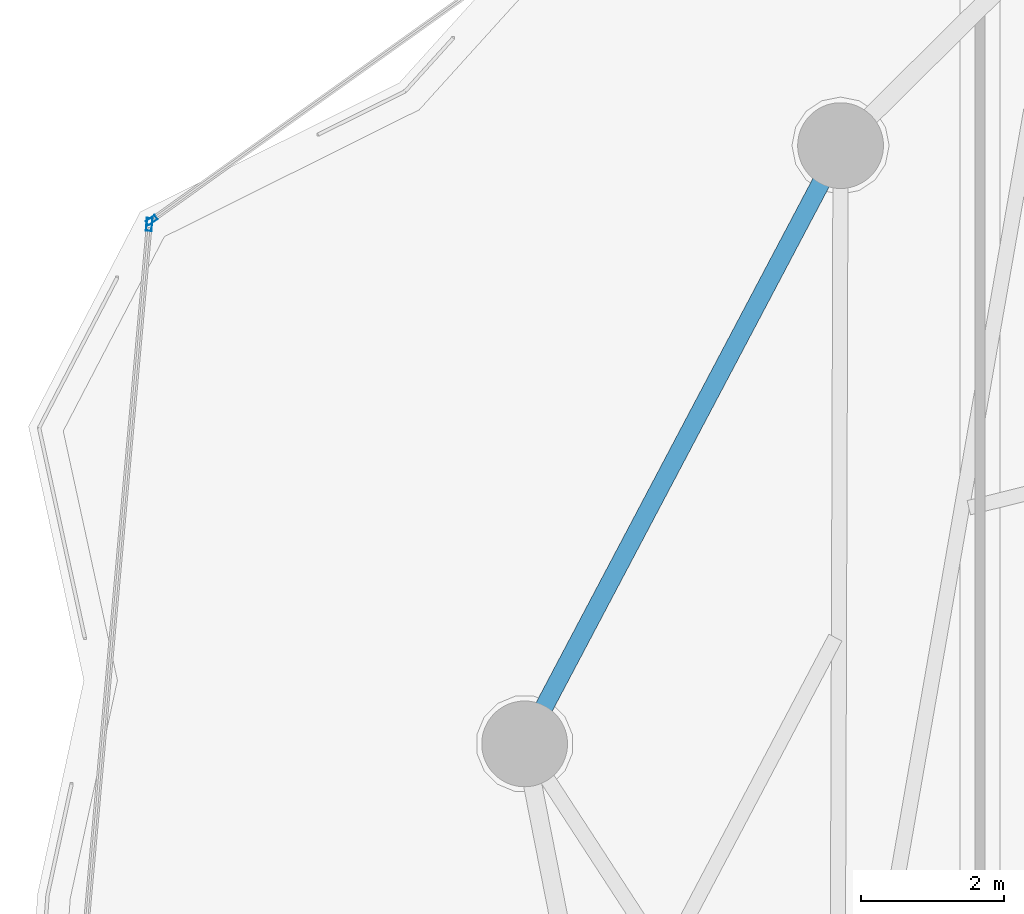
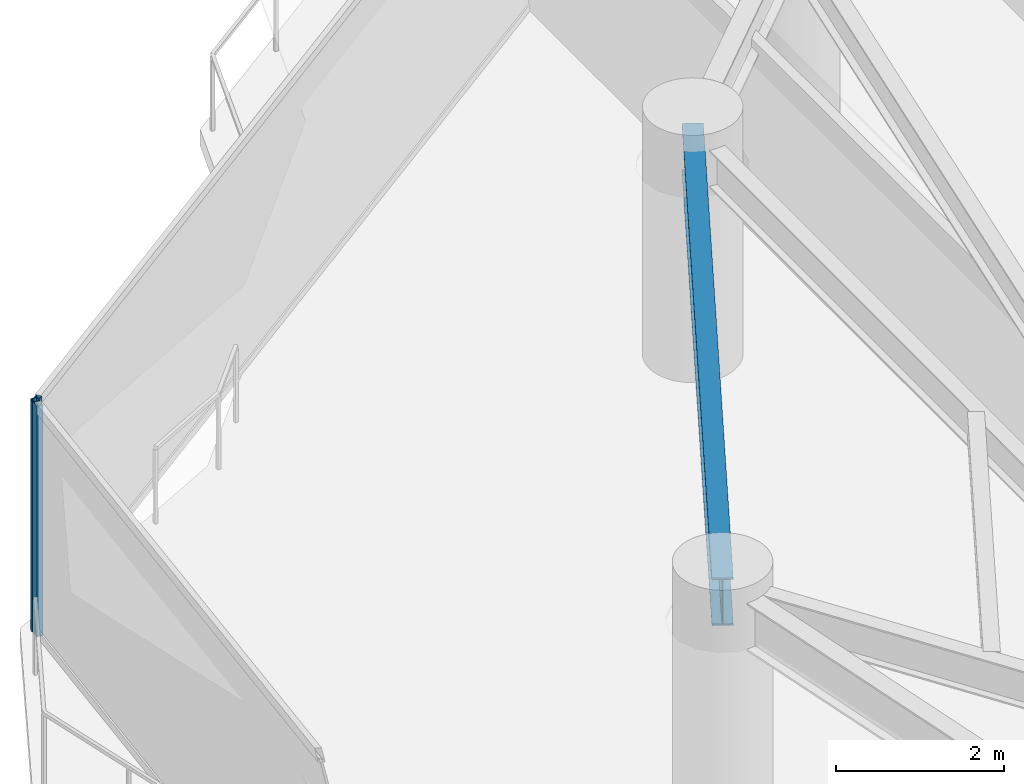
# One storey, part 17 of 33: 2 members, 1 beam, 2 elements without a shape of their own.
"""IFC4 building model written with IfcOpenShell, lengths in metres."""

import ifcopenshell
import ifcopenshell.guid

model = None  # the IFC model being written
_history = None  # IfcOwnerHistory: only IFC2X3 demands one
_inside = {}  # id of a spatial element -> (the spatial element, [elements in it])
_under = {}  # id of a project, library or spatial element -> (it, [spatial elements below it])
_declared = {}  # id of a project -> (the project, [libraries it declares])
_typed = {}  # id of a type object -> (the type object, [elements of that type])
_made_of = {}  # id of a material, layer set ... -> (it, [elements and type objects made of it])


def new_model(schema):
    """Start an empty IFC model of exactly this schema.

    Asked for "IFC4X3", IfcOpenShell would pick the latest addendum, in which some entities
    have other attributes; the version numbers below select the first issue.
    IFC2X3 requires an IfcOwnerHistory on every rooted entity: one is made here for all.
    """
    global model, _history
    if schema == "IFC4X3":
        model = ifcopenshell.file(schema_version=(4, 3, 0, 0))
    else:
        model = ifcopenshell.file(schema=schema)
    _inside.clear()
    _under.clear()
    _declared.clear()
    _typed.clear()
    _made_of.clear()
    _history = None
    if model.schema == "IFC2X3":
        org = make("IfcOrganization", Name="unknown")
        user = make(
            "IfcPersonAndOrganization",
            ThePerson=make("IfcPerson", FamilyName="unknown"),
            TheOrganization=org,
        )
        app = make(
            "IfcApplication",
            ApplicationDeveloper=org,
            Version="unknown",
            ApplicationFullName="unknown",
            ApplicationIdentifier="unknown",
        )
        _history = make(
            "IfcOwnerHistory",
            OwningUser=user,
            OwningApplication=app,
            ChangeAction="ADDED",
            CreationDate=0,
        )
    return model


def make(cls, **values):
    """One entity of the class cls with the attributes given. An attribute that is None is left unset."""
    return model.create_entity(
        cls, **{name: value for name, value in values.items() if value is not None}
    )


def rooted(cls, **values):
    """An entity with a GlobalId (a new one), such as an element, a storey or a relation."""
    return make(cls, GlobalId=ifcopenshell.guid.new(), OwnerHistory=_history, **values)


def si_unit(unit_type, name, prefix=None):
    """IfcSIUnit, for example si_unit("LENGTHUNIT", "METRE", prefix="MILLI")."""
    return make("IfcSIUnit", UnitType=unit_type, Prefix=prefix, Name=name)


def assignment(units):
    """IfcUnitAssignment: the units of a project."""
    return None if units is None else make("IfcUnitAssignment", Units=units)


def point(xyz):
    """IfcCartesianPoint."""
    return None if xyz is None else make("IfcCartesianPoint", Coordinates=xyz)


def direction(xyz):
    """IfcDirection."""
    return None if xyz is None else make("IfcDirection", DirectionRatios=xyz)


def frame(location, z_axis=None, x_axis=None):
    """IfcAxis2Placement3D, a coordinate frame: its origin and axes. An axis left out is left unset."""
    return make(
        "IfcAxis2Placement3D",
        Location=point(location),
        Axis=direction(z_axis),
        RefDirection=direction(x_axis),
    )


def frame_2d(location, x_axis=None):
    """IfcAxis2Placement2D, a coordinate frame in the plane: its origin and x axis."""
    return make(
        "IfcAxis2Placement2D", Location=point(location), RefDirection=direction(x_axis)
    )


def origin():
    """The frame at (0, 0, 0) with its axes left unset."""
    return frame((0.0, 0.0, 0.0))


def origin_2d():
    """The frame at (0, 0) in the plane with its x axis left unset."""
    return frame_2d((0.0, 0.0))


def place(relative_to, where):
    """IfcLocalPlacement: puts the frame where relative to a parent placement (None: the world)."""
    return make(
        "IfcLocalPlacement", PlacementRelTo=relative_to, RelativePlacement=where
    )


def context(
    kind, dimensions, precision=None, world=None, true_north=None, identifier=None
):
    """IfcGeometricRepresentationContext, for example the 3D "Model" context."""
    return make(
        "IfcGeometricRepresentationContext",
        ContextIdentifier=identifier,
        ContextType=kind,
        CoordinateSpaceDimension=dimensions,
        Precision=precision,
        WorldCoordinateSystem=world,
        TrueNorth=true_north,
    )


def subcontext(parent, identifier, kind, view, scale=None):
    """IfcGeometricRepresentationSubContext, for example "Body" below "Model"."""
    return make(
        "IfcGeometricRepresentationSubContext",
        ContextIdentifier=identifier,
        ContextType=kind,
        ParentContext=parent,
        TargetScale=scale,
        TargetView=view,
    )


def project(units=None, contexts=None):
    """IfcProject with its units and contexts."""
    return rooted(
        "IfcProject",
        Name="project",
        RepresentationContexts=contexts,
        UnitsInContext=assignment(units),
    )


def spatial(cls, under=None, at=None, **own):
    """A site, building, storey or space (cls), placed at a placement, below another one or the project."""
    s = rooted(cls, ObjectPlacement=at, **own)
    if under is not None:
        _under.setdefault(under.id(), (under, []))[1].append(s)
    return s


def profile(cls, at=None, kind="AREA", **sizes):
    """A parametric profile (cls). Its sizes go by their IFC names, for example OverallWidth=200.0."""
    return make(cls, ProfileType=kind, Position=at, **sizes)


def hollow_rectangle(**sizes):
    """IfcRectangleHollowProfileDef."""
    return profile("IfcRectangleHollowProfileDef", **sizes)


def i_section(**sizes):
    """IfcIShapeProfileDef."""
    return profile("IfcIShapeProfileDef", **sizes)


def extrude(swept, where, along, depth):
    """IfcExtrudedAreaSolid: the profile swept, set in the frame where, extruded along a direction by depth."""
    return make(
        "IfcExtrudedAreaSolid",
        SweptArea=swept,
        Position=where,
        ExtrudedDirection=direction(along),
        Depth=depth,
    )


def shape(context_of_items, identifier, shape_type, items):
    """IfcShapeRepresentation: the items that make up one representation, for example the "Body"."""
    return make(
        "IfcShapeRepresentation",
        ContextOfItems=context_of_items,
        RepresentationIdentifier=identifier,
        RepresentationType=shape_type,
        Items=items,
    )


def material(Name=None, Category=None):
    """IfcMaterial."""
    return make("IfcMaterial", Name=Name, Category=Category)


def layer(
    of_material, thickness, ventilated=None, Name=None, Category=None, Priority=None
):
    """IfcMaterialLayer: one layer of a wall or slab, of a material (None: an air gap)."""
    return make(
        "IfcMaterialLayer",
        Material=of_material,
        LayerThickness=thickness,
        IsVentilated=ventilated,
        Name=Name,
        Category=Category,
        Priority=Priority,
    )


def layer_set(layers, Name=None):
    """IfcMaterialLayerSet."""
    return make("IfcMaterialLayerSet", MaterialLayers=layers, LayerSetName=Name)


def material_profile(
    of_material, cross_section, Name=None, Category=None, Priority=None
):
    """IfcMaterialProfile: a cross section and its material."""
    return make(
        "IfcMaterialProfile",
        Name=Name,
        Material=of_material,
        Profile=cross_section,
        Priority=Priority,
        Category=Category,
    )


def profile_set(profiles, Name=None, composite=None):
    """IfcMaterialProfileSet."""
    return make(
        "IfcMaterialProfileSet",
        Name=Name,
        MaterialProfiles=profiles,
        CompositeProfile=composite,
    )


def made_of(thing, what):
    """Note that an element or type object is made of a material, layer set ...; save() writes the relation."""
    if what is not None:
        _made_of.setdefault(what.id(), (what, []))[1].append(thing)
    return thing


def type_object(cls, material=None, **own):
    """A type object (cls), such as IfcWallType, which elements share."""
    return made_of(rooted(cls, **own), material)


def element(
    cls,
    number,
    at=None,
    inside=None,
    cuts=None,
    type_object=None,
    material=None,
    context=None,
    identifier="Body",
    shape_type=None,
    held_by="IfcProductDefinitionShape",
    body=None,
    shapes=None,
    **own,
):
    """One element of the class cls, such as IfcWall. Its Tag is "e" and its number.

    at: its placement. inside: the storey or other place that contains it. cuts: it is an
    opening in that element (IfcRelVoidsElement). A single representation is given by context,
    identifier, shape_type and body (its items); several are given by shapes. held_by: the class
    of the entity that holds the representations. save() writes the other relations.
    """
    e = rooted(cls, Tag="e%d" % number, ObjectPlacement=at, **own)
    if body is not None:
        shapes = [shape(context, identifier, shape_type, body)]
    if shapes is not None:
        e.Representation = make(held_by, Representations=shapes)
    if inside is not None:
        _inside.setdefault(inside.id(), (inside, []))[1].append(e)
    if cuts is not None:
        rooted(
            "IfcRelVoidsElement", RelatingBuildingElement=cuts, RelatedOpeningElement=e
        )
    if type_object is not None:
        _typed.setdefault(type_object.id(), (type_object, []))[1].append(e)
    return made_of(e, material)


def aggregate(whole, parts):
    """IfcRelAggregates: a whole, such as a stair, and the parts it consists of."""
    return rooted("IfcRelAggregates", RelatingObject=whole, RelatedObjects=parts)


def save(model, path):
    """Write the relations noted so far, then the file.

    IfcRelAggregates (storeys below a building ...), IfcRelContainedInSpatialStructure (elements
    in a storey), IfcRelDefinesByType, IfcRelAssociatesMaterial and IfcRelDeclares: one each for
    every whole, place, type object, material and project.
    """
    for whole, parts in _under.values():
        aggregate(whole, parts)
    for where, things in _inside.values():
        rooted(
            "IfcRelContainedInSpatialStructure",
            RelatedElements=things,
            RelatingStructure=where,
        )
    for kind, things in _typed.values():
        rooted("IfcRelDefinesByType", RelatedObjects=things, RelatingType=kind)
    for what, things in _made_of.values():
        rooted("IfcRelAssociatesMaterial", RelatedObjects=things, RelatingMaterial=what)
    for by, libraries in _declared.values():
        rooted("IfcRelDeclares", RelatingContext=by, RelatedDefinitions=libraries)
    model.write(path)


model = new_model("IFC4")

# Units and contexts
model_context = context("Model", 3, precision=1e-05, world=origin(), true_north=direction((0.0, 1.0)))
body_context = subcontext(model_context, "Body", "Model", "MODEL_VIEW")
ifc_project = project(units=[si_unit("LENGTHUNIT", "METRE"), si_unit("AREAUNIT", "SQUARE_METRE"), si_unit("VOLUMEUNIT", "CUBIC_METRE"), si_unit("PLANEANGLEUNIT", "RADIAN"), si_unit("MASSUNIT", "GRAM", prefix="KILO")], contexts=[model_context])

# Site, building, storey
site_placement = place(None, origin())
site = spatial("IfcSite", under=ifc_project, at=site_placement, CompositionType="ELEMENT")
building_placement = place(site_placement, origin())
building = spatial("IfcBuilding", under=site, at=building_placement, Name="Kazevale Care Tower and Concert Hall", CompositionType="ELEMENT")
storey_placement = place(building_placement, frame((0.0, 0.0, 153.0)))
storey = spatial("IfcBuildingStorey", under=building, at=storey_placement, Name="L40", CompositionType="ELEMENT", Elevation=153.0)

# Curtain wall, member
ifc_material_1 = material(Name="Aluminium 6063-T6 and Low-E Glass", Category="aluminium")
ifc_layer_1 = layer(ifc_material_1, 0.179931640625)
ifc_layer_set_1 = layer_set([ifc_layer_1], Name="Aluminium 6063-T6 and Low-E Glass")
curtain_wall_type_1 = type_object("IfcCurtainWallType", Name="Convex Recessed Sunroom Curtain Wall CW-3", PredefinedType="NOTDEFINED", material=ifc_layer_set_1)
curtain_wall_1_placement = place(storey_placement, origin())
curtain_wall_1 = element("IfcCurtainWall", 1, at=curtain_wall_1_placement, inside=storey, type_object=curtain_wall_type_1, Name="cw:L40:f14", PredefinedType="NOTDEFINED")
ifc_material_2 = material(Name="Aluminium 6063-T6", Category="aluminium")
ifc_material_profile_1 = material_profile(ifc_material_2, hollow_rectangle(XDim=0.074951171875, YDim=0.14990234375, WallThickness=0.00390625, at=origin_2d()), Name="ALU75x150x4")
ifc_profile_set_1 = profile_set([ifc_material_profile_1], Name="Aluminium 6063-T6")
member_type_1 = type_object("IfcMemberType", Name="CW-3 Mullion ALU75x150x4", PredefinedType="MULLION", material=ifc_profile_set_1)
member_1_placement = place(storey_placement, frame((12.41259765625, 50.44775390625, 0.0), z_axis=(0.0, 0.0, 1.0), x_axis=(-0.58132396176, 0.813672201494, 0.0)))
member_1 = element("IfcMember", 2, at=member_1_placement, type_object=member_type_1, Name="CW-3 mullion 1", PredefinedType="MULLION", context=body_context, shape_type="SweptSolid", body=[
    extrude(hollow_rectangle(XDim=0.074951171875, YDim=0.14990234375, WallThickness=0.00390625, at=origin_2d()), origin(), (0.0, 0.0, 1.0), 3.360107421875),
])
aggregate(curtain_wall_1, [member_1])

ifc_layer_2 = layer(ifc_material_1, 0.179931640625)
ifc_layer_set_2 = layer_set([ifc_layer_2], Name="Aluminium 6063-T6 and Low-E Glass")
curtain_wall_type_2 = type_object("IfcCurtainWallType", Name="Waist & Upper Residential Curtain Wall CW-4", PredefinedType="NOTDEFINED", material=ifc_layer_set_2)
curtain_wall_2_placement = place(storey_placement, origin())
curtain_wall_2 = element("IfcCurtainWall", 3, at=curtain_wall_2_placement, inside=storey, type_object=curtain_wall_type_2, Name="cw:L40:f13", PredefinedType="NOTDEFINED")
ifc_material_profile_2 = material_profile(ifc_material_2, hollow_rectangle(XDim=0.080078125, YDim=0.179931640625, WallThickness=0.0048828125, at=origin_2d()), Name="ALU80x180x5")
ifc_profile_set_2 = profile_set([ifc_material_profile_2], Name="Aluminium 6063-T6")
member_type_2 = type_object("IfcMemberType", Name="CW-4 Mullion ALU80x180x5", PredefinedType="MULLION", material=ifc_profile_set_2)
member_2_placement = place(storey_placement, frame((12.37841796875, 50.38623046875, 0.0), z_axis=(0.0, 0.0, 1.0), x_axis=(-0.995969703525, 0.089690298589, 0.0)))
member_2 = element("IfcMember", 4, at=member_2_placement, type_object=member_type_2, Name="CW-4 mullion 2", PredefinedType="MULLION", context=body_context, shape_type="SweptSolid", body=[
    extrude(hollow_rectangle(XDim=0.080078125, YDim=0.179931640625, WallThickness=0.0048828125, at=origin_2d()), origin(), (0.0, 0.0, 1.0), 3.360107421875),
])
aggregate(curtain_wall_2, [member_2])

# Beam
ifc_material_3 = material(Name="Steel ASTM A572 Gr 50", Category="steel")
ifc_material_profile_3 = material_profile(ifc_material_3, i_section(OverallWidth=0.256103515625, OverallDepth=0.693115234375, WebThickness=0.014404296875, FlangeThickness=0.023681640625, at=origin_2d()), Name="W690x170")
ifc_profile_set_3 = profile_set([ifc_material_profile_3], Name="Steel ASTM A572 Gr 50")
beam_type = type_object("IfcBeamType", Name="Waist Ring Beam W690x170", PredefinedType="BEAM", material=ifc_profile_set_3)
beam_placement = place(storey_placement, frame((22.050048828125, 51.489990234375, 3.013427734375), z_axis=(-0.466984438127, -0.884265533959, 0.0), x_axis=(0.884265533959, -0.466984438127, 0.0)))
element("IfcBeam", 5, at=beam_placement, inside=storey, type_object=beam_type, Name="beam:L40:ring:08", PredefinedType="BEAM", context=body_context, shape_type="SweptSolid", body=[
    extrude(i_section(OverallWidth=0.256103515625, OverallDepth=0.693115234375, WebThickness=0.014404296875, FlangeThickness=0.023681640625, at=origin_2d()), origin(), (0.0, 0.0, 1.0), 9.46533203125),
])

save(model, "model.ifc")
